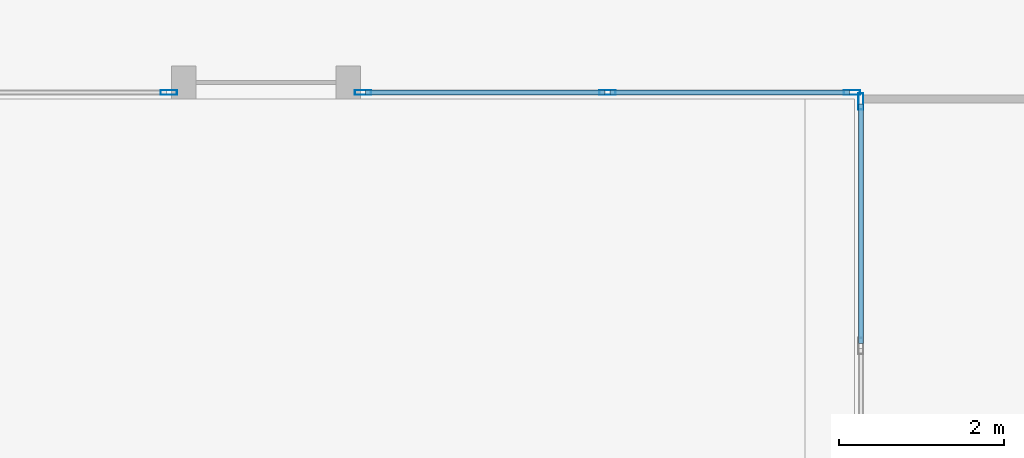
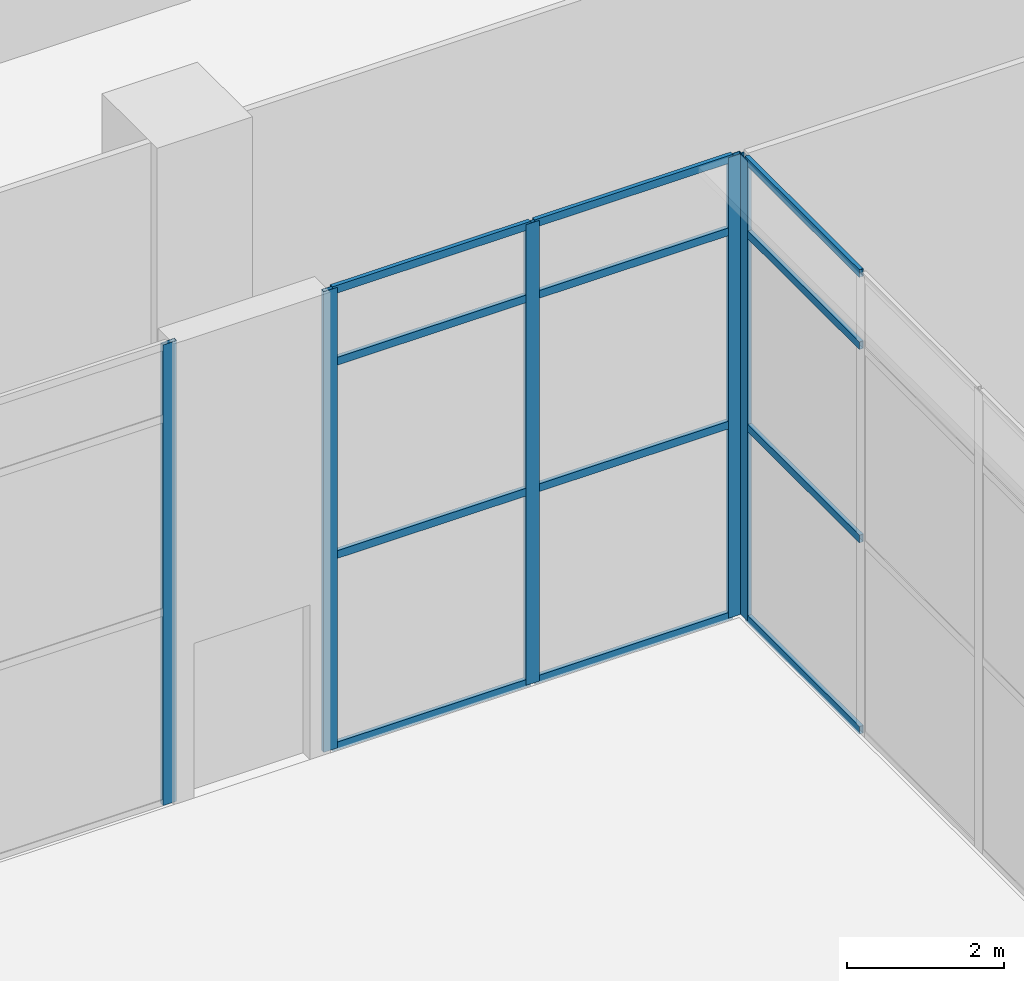
# One storey, part 21 of 52: 17 members, 3 elements without a shape of their own.
"""IFC4 building model written with IfcOpenShell, lengths in metres."""

from ifc_helpers import new_model, si_unit, direction, frame, origin, origin_2d, place, context, subcontext, project, spatial, hollow_rectangle, extrude, source, transform, mapped, material, material_profile, profile_set, type_object, element, aggregate, save


model = new_model("IFC4")

# Units and contexts
model_context = context("Model", 3, precision=1e-05, world=origin(), true_north=direction((0.0, 1.0)))
body_context = subcontext(model_context, "Body", "Model", "MODEL_VIEW")
ifc_project = project(units=[si_unit("LENGTHUNIT", "METRE"), si_unit("AREAUNIT", "SQUARE_METRE"), si_unit("VOLUMEUNIT", "CUBIC_METRE"), si_unit("PLANEANGLEUNIT", "RADIAN"), si_unit("MASSUNIT", "GRAM", prefix="KILO")], contexts=[model_context])

# Site, building, storey
site_placement = place(None, origin())
site = spatial("IfcSite", under=ifc_project, at=site_placement, CompositionType="ELEMENT")
building_placement = place(site_placement, origin())
building = spatial("IfcBuilding", under=site, at=building_placement, Name="Khomas Fold Tower", CompositionType="ELEMENT")
storey_placement = place(building_placement, origin())
storey = spatial("IfcBuildingStorey", under=building, at=storey_placement, Name="L00", CompositionType="ELEMENT", Elevation=0.0)

# Curtain wall, member
ifc_material_1 = material(Name="Aluminium framed double glazing", Category="aluminium")
curtain_wall_type = type_object("IfcCurtainWallType", Name="Shopfront glazing PD-CW", PredefinedType="NOTDEFINED", material=ifc_material_1)
curtain_wall_1_placement = place(storey_placement, origin())
curtain_wall_1 = element("IfcCurtainWall", 1, at=curtain_wall_1_placement, inside=storey, type_object=curtain_wall_type, Name="Podium shopfront run", PredefinedType="NOTDEFINED")
ifc_material_2 = material(Name="Aluminium", Category="aluminium")
ifc_material_profile_1 = material_profile(ifc_material_2, hollow_rectangle(XDim=0.06005859375, YDim=0.199951171875, WallThickness=0.00390625, at=origin_2d()), Name="Shopfront glazing mullion PD-CW-M")
ifc_profile_set_1 = profile_set([ifc_material_profile_1], Name="Aluminium")
member_type_1 = type_object("IfcMemberType", Name="Shopfront glazing mullion PD-CW-M", PredefinedType="MULLION", material=ifc_profile_set_1)
shared_shape_1 = source(origin(), body_context, "Body", "SweptSolid", [
    extrude(hollow_rectangle(XDim=0.06005859375, YDim=0.199951171875, WallThickness=0.00390625, at=origin_2d()), origin(), (0.0, 0.0, 1.0), 7.14990234375),
])
member_1_placement = place(storey_placement, frame((34.820068359375, 18.080078125, 0.0), z_axis=(0.0, 0.0, 1.0), x_axis=(0.0, 1.0, 0.0)))
member_1 = element("IfcMember", 2, at=member_1_placement, type_object=member_type_1, Name="PD-CW mullion 3", PredefinedType="MULLION", context=body_context, shape_type="MappedRepresentation", body=[
    mapped(shared_shape_1, transform((0.0, 0.0, 0.0))),
])
aggregate(curtain_wall_1, [member_1])

# Curtain wall, members
curtain_wall_2_placement = place(storey_placement, origin())
curtain_wall_2 = element("IfcCurtainWall", 3, at=curtain_wall_2_placement, inside=storey, type_object=curtain_wall_type, Name="Podium shopfront run", PredefinedType="NOTDEFINED")
member_2_placement = place(storey_placement, frame((37.179931640625, 18.080078125, 0.0), z_axis=(0.0, 0.0, 1.0), x_axis=(0.0, 1.0, 0.0)))
member_2 = element("IfcMember", 4, at=member_2_placement, type_object=member_type_1, Name="PD-CW mullion 1", PredefinedType="MULLION", context=body_context, shape_type="MappedRepresentation", body=[
    mapped(shared_shape_1, transform((0.0, 0.0, 0.0))),
])
member_3_placement = place(storey_placement, frame((40.14990234375, 18.080078125, 0.0), z_axis=(0.0, 0.0, 1.0), x_axis=(0.0, 1.0, 0.0)))
member_3 = element("IfcMember", 5, at=member_3_placement, type_object=member_type_1, Name="PD-CW mullion 2", PredefinedType="MULLION", context=body_context, shape_type="MappedRepresentation", body=[
    mapped(shared_shape_1, transform((0.0, 0.0, 0.0))),
])
member_4_placement = place(storey_placement, frame((43.1201171875, 18.080078125, 0.0), z_axis=(0.0, 0.0, 1.0), x_axis=(0.0, 1.0, 0.0)))
member_4 = element("IfcMember", 6, at=member_4_placement, type_object=member_type_1, Name="PD-CW mullion 3", PredefinedType="MULLION", context=body_context, shape_type="MappedRepresentation", body=[
    mapped(shared_shape_1, transform((0.0, 0.0, 0.0))),
])

# Curtain wall, member
curtain_wall_3_placement = place(storey_placement, origin())
curtain_wall_3 = element("IfcCurtainWall", 7, at=curtain_wall_3_placement, inside=storey, type_object=curtain_wall_type, Name="Podium shopfront run", PredefinedType="NOTDEFINED")
member_5_placement = place(storey_placement, frame((43.22998046875, 17.969970703125, 0.0), z_axis=(0.0, 0.0, 1.0), x_axis=(1.0, 0.0, 0.0)))
member_5 = element("IfcMember", 8, at=member_5_placement, type_object=member_type_1, Name="PD-CW mullion 1", PredefinedType="MULLION", context=body_context, shape_type="MappedRepresentation", body=[
    mapped(shared_shape_1, transform((0.0, 0.0, 0.0))),
])

# Member
ifc_material_3 = material(Name="Aluminium", Category="aluminium")
ifc_material_profile_2 = material_profile(ifc_material_3, hollow_rectangle(XDim=0.06005859375, YDim=0.1201171875, WallThickness=0.00390625, at=origin_2d()), Name="Shopfront glazing transom PD-CW-T")
ifc_profile_set_2 = profile_set([ifc_material_profile_2], Name="Aluminium")
member_type_2 = type_object("IfcMemberType", Name="Shopfront glazing transom PD-CW-T", PredefinedType="USERDEFINED", material=ifc_profile_set_2)
shared_shape_2 = source(origin(), body_context, "Body", "SweptSolid", [
    extrude(hollow_rectangle(XDim=0.06005859375, YDim=0.1201171875, WallThickness=0.00390625, at=origin_2d()), origin(), (0.0, 0.0, 1.0), 2.91015625),
])
member_6_placement = place(storey_placement, frame((37.2099609375, 18.080078125, 0.030029296875), z_axis=(1.0, 0.0, 0.0), x_axis=(0.0, 1.0, 0.0)))
member_6 = element("IfcMember", 9, at=member_6_placement, type_object=member_type_2, Name="PD-CW transom 1.1", ObjectType="TRANSOM", PredefinedType="USERDEFINED", context=body_context, shape_type="MappedRepresentation", body=[
    mapped(shared_shape_2, transform((0.0, 0.0, 0.0))),
])

member_7_placement = place(storey_placement, frame((37.2099609375, 18.080078125, 3.0), z_axis=(1.0, 0.0, 0.0), x_axis=(0.0, 1.0, 0.0)))
member_7 = element("IfcMember", 10, at=member_7_placement, type_object=member_type_2, Name="PD-CW transom 1.2", ObjectType="TRANSOM", PredefinedType="USERDEFINED", context=body_context, shape_type="MappedRepresentation", body=[
    mapped(shared_shape_2, transform((0.0, 0.0, 0.0))),
])

member_8_placement = place(storey_placement, frame((37.2099609375, 18.080078125, 6.0), z_axis=(1.0, 0.0, 0.0), x_axis=(0.0, 1.0, 0.0)))
member_8 = element("IfcMember", 11, at=member_8_placement, type_object=member_type_2, Name="PD-CW transom 1.3", ObjectType="TRANSOM", PredefinedType="USERDEFINED", context=body_context, shape_type="MappedRepresentation", body=[
    mapped(shared_shape_2, transform((0.0, 0.0, 0.0))),
])

member_9_placement = place(storey_placement, frame((37.2099609375, 18.080078125, 7.1201171875), z_axis=(1.0, 0.0, 0.0), x_axis=(0.0, 1.0, 0.0)))
member_9 = element("IfcMember", 12, at=member_9_placement, type_object=member_type_2, Name="PD-CW transom 1.4", ObjectType="TRANSOM", PredefinedType="USERDEFINED", context=body_context, shape_type="MappedRepresentation", body=[
    mapped(shared_shape_2, transform((0.0, 0.0, 0.0))),
])

member_10_placement = place(storey_placement, frame((40.179931640625, 18.080078125, 0.030029296875), z_axis=(1.0, 0.0, 0.0), x_axis=(0.0, 1.0, 0.0)))
member_10 = element("IfcMember", 13, at=member_10_placement, type_object=member_type_2, Name="PD-CW transom 2.1", ObjectType="TRANSOM", PredefinedType="USERDEFINED", context=body_context, shape_type="MappedRepresentation", body=[
    mapped(shared_shape_2, transform((0.0, 0.0, 0.0))),
])

member_11_placement = place(storey_placement, frame((40.179931640625, 18.080078125, 3.0), z_axis=(1.0, 0.0, 0.0), x_axis=(0.0, 1.0, 0.0)))
member_11 = element("IfcMember", 14, at=member_11_placement, type_object=member_type_2, Name="PD-CW transom 2.2", ObjectType="TRANSOM", PredefinedType="USERDEFINED", context=body_context, shape_type="MappedRepresentation", body=[
    mapped(shared_shape_2, transform((0.0, 0.0, 0.0))),
])

member_12_placement = place(storey_placement, frame((40.179931640625, 18.080078125, 6.0), z_axis=(1.0, 0.0, 0.0), x_axis=(0.0, 1.0, 0.0)))
member_12 = element("IfcMember", 15, at=member_12_placement, type_object=member_type_2, Name="PD-CW transom 2.3", ObjectType="TRANSOM", PredefinedType="USERDEFINED", context=body_context, shape_type="MappedRepresentation", body=[
    mapped(shared_shape_2, transform((0.0, 0.0, 0.0))),
])

member_13_placement = place(storey_placement, frame((40.179931640625, 18.080078125, 7.1201171875), z_axis=(1.0, 0.0, 0.0), x_axis=(0.0, 1.0, 0.0)))
member_13 = element("IfcMember", 16, at=member_13_placement, type_object=member_type_2, Name="PD-CW transom 2.4", ObjectType="TRANSOM", PredefinedType="USERDEFINED", context=body_context, shape_type="MappedRepresentation", body=[
    mapped(shared_shape_2, transform((0.0, 0.0, 0.0))),
])

aggregate(curtain_wall_2, [member_2, member_3, member_4, member_6, member_7, member_8, member_9, member_10, member_11, member_12, member_13])

shared_shape_3 = source(origin(), body_context, "Body", "SweptSolid", [
    extrude(hollow_rectangle(XDim=0.06005859375, YDim=0.1201171875, WallThickness=0.00390625, at=origin_2d()), origin(), (0.0, 0.0, 1.0), 2.909912109375),
])
member_14_placement = place(storey_placement, frame((43.22998046875, 17.93994140625, 0.030029296875), z_axis=(0.0, -1.0, 0.0), x_axis=(1.0, 0.0, 0.0)))
member_14 = element("IfcMember", 17, at=member_14_placement, type_object=member_type_2, Name="PD-CW transom 1.1", ObjectType="TRANSOM", PredefinedType="USERDEFINED", context=body_context, shape_type="MappedRepresentation", body=[
    mapped(shared_shape_3, transform((0.0, 0.0, 0.0))),
])

member_15_placement = place(storey_placement, frame((43.22998046875, 17.93994140625, 3.0), z_axis=(0.0, -1.0, 0.0), x_axis=(1.0, 0.0, 0.0)))
member_15 = element("IfcMember", 18, at=member_15_placement, type_object=member_type_2, Name="PD-CW transom 1.2", ObjectType="TRANSOM", PredefinedType="USERDEFINED", context=body_context, shape_type="MappedRepresentation", body=[
    mapped(shared_shape_3, transform((0.0, 0.0, 0.0))),
])

member_16_placement = place(storey_placement, frame((43.22998046875, 17.93994140625, 6.0), z_axis=(0.0, -1.0, 0.0), x_axis=(1.0, 0.0, 0.0)))
member_16 = element("IfcMember", 19, at=member_16_placement, type_object=member_type_2, Name="PD-CW transom 1.3", ObjectType="TRANSOM", PredefinedType="USERDEFINED", context=body_context, shape_type="MappedRepresentation", body=[
    mapped(shared_shape_3, transform((0.0, 0.0, 0.0))),
])

member_17_placement = place(storey_placement, frame((43.22998046875, 17.93994140625, 7.1201171875), z_axis=(0.0, -1.0, 0.0), x_axis=(1.0, 0.0, 0.0)))
member_17 = element("IfcMember", 20, at=member_17_placement, type_object=member_type_2, Name="PD-CW transom 1.4", ObjectType="TRANSOM", PredefinedType="USERDEFINED", context=body_context, shape_type="MappedRepresentation", body=[
    mapped(shared_shape_3, transform((0.0, 0.0, 0.0))),
])

aggregate(curtain_wall_3, [member_5, member_14, member_15, member_16, member_17])

save(model, "model.ifc")
